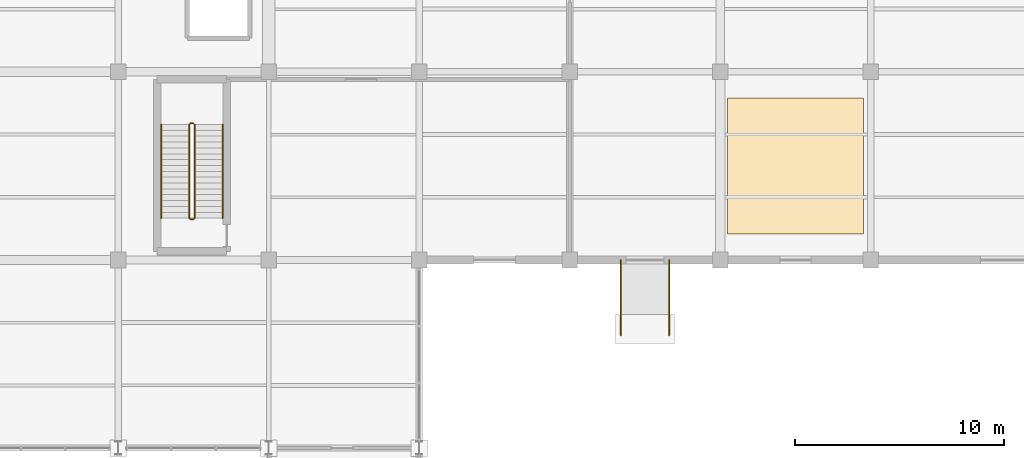
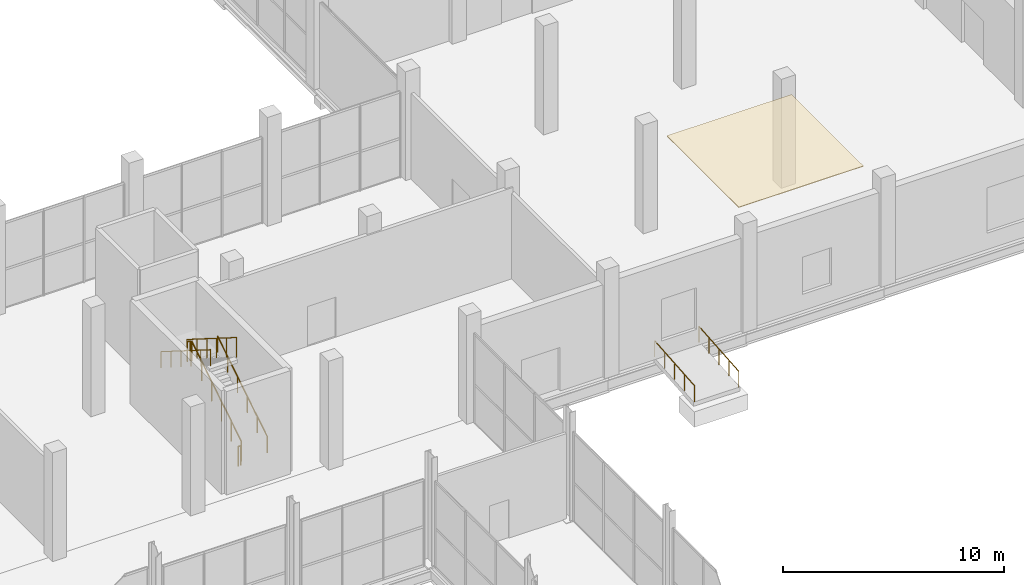
# One storey, part 144 of 144: 8 railings, 1 covering.
"""IFC4 building model written with IfcOpenShell, lengths in metres."""

from ifc_helpers import new_model, si_unit, direction, frame, origin, origin_2d, place, context, subcontext, project, spatial, rectangle, circle, extrude, material, layer, layer_set, type_object, element, save


model = new_model("IFC4")

# Units and contexts
model_context = context("Model", 3, precision=1e-05, world=origin(), true_north=direction((0.0, 1.0)))
body_context = subcontext(model_context, "Body", "Model", "MODEL_VIEW")
ifc_project = project(units=[si_unit("LENGTHUNIT", "METRE"), si_unit("AREAUNIT", "SQUARE_METRE"), si_unit("VOLUMEUNIT", "CUBIC_METRE"), si_unit("PLANEANGLEUNIT", "RADIAN"), si_unit("MASSUNIT", "GRAM", prefix="KILO")], contexts=[model_context])

# Site, building, storey
site_placement = place(None, origin())
site = spatial("IfcSite", under=ifc_project, at=site_placement, CompositionType="ELEMENT")
building_placement = place(site_placement, origin())
building = spatial("IfcBuilding", under=site, at=building_placement, Name="Sundgate Opera House", CompositionType="ELEMENT")
storey_placement = place(building_placement, origin())
storey = spatial("IfcBuildingStorey", under=building, at=storey_placement, Name="L00", CompositionType="ELEMENT", Elevation=0.0)

# Covering
ifc_material_1 = material(Name="Acoustic gypsum plasterboard ceiling", Category="gypsum")
ifc_layer = layer(ifc_material_1, 0.034912109375)
ifc_layer_set = layer_set([ifc_layer], Name="Acoustic gypsum plasterboard ceiling")
covering_type = type_object("IfcCoveringType", Name="CV-CEIL-GYP", PredefinedType="CEILING", material=ifc_layer_set)
covering_placement = place(storey_placement, frame((163.800048828125, 73.5, 5.6650390625), z_axis=(0.0, 0.0, 1.0), x_axis=(1.0, 0.0, 0.0)))
element("IfcCovering", 1, at=covering_placement, inside=storey, type_object=covering_type, Name="L00 Acoustic Ceiling CV0127", PredefinedType="CEILING", context=body_context, shape_type="SweptSolid", body=[
    extrude(rectangle(XDim=6.5, YDim=6.5, at=origin_2d()), origin(), (0.0, 0.0, 1.0), 0.034912109375),
])

# Railings
ifc_material_2 = material(Name="Painted steel S275 guardrail", Category="steel")
railing_type_1 = type_object("IfcRailingType", Name="RL-STAIR-GUARD-1100", PredefinedType="GUARDRAIL", material=ifc_material_2)
railing_1_placement = place(storey_placement, frame((135.050048828125, 71.0, 0.176513671875)))
element("IfcRailing", 2, at=railing_1_placement, inside=storey, type_object=railing_type_1, Name="ST06L00 Guardrail RL0213", PredefinedType="GUARDRAIL", context=body_context, shape_type="SweptSolid", body=[
    extrude(circle(Radius=0.02392578125, at=origin_2d()), frame((0.0, 0.0, 1.076171875), z_axis=(0.0, 0.845997938375, 0.533186166611), x_axis=(-1.0, 0.0, 0.0)), (0.0, 0.0, 1.0), 5.29541015625),
    extrude(circle(Radius=0.02099609375, at=origin_2d()), origin(), (0.0, 0.0, 1.0), 1.052001953125),
    extrude(circle(Radius=0.02099609375, at=origin_2d()), frame((0.0, 0.89599609375, 0.564697265625)), (0.0, 0.0, 1.0), 1.052001953125),
    extrude(circle(Radius=0.02099609375, at=origin_2d()), frame((0.0, 1.7919921875, 1.12939453125)), (0.0, 0.0, 1.0), 1.052001953125),
    extrude(circle(Radius=0.02099609375, at=origin_2d()), frame((0.0, 2.68798828125, 1.694091796875)), (0.0, 0.0, 1.0), 1.052001953125),
    extrude(circle(Radius=0.02099609375, at=origin_2d()), frame((0.0, 3.583984375, 2.2587890625)), (0.0, 0.0, 1.0), 1.052001953125),
    extrude(circle(Radius=0.02099609375, at=origin_2d()), frame((0.0, 4.47998046875, 2.823486328125)), (0.0, 0.0, 1.0), 1.052001953125),
])
railing_2_placement = place(storey_placement, frame((135.0, 75.530029296875, 3.0)))
element("IfcRailing", 3, at=railing_2_placement, inside=storey, type_object=railing_type_1, Name="ST06L00 Guardrail RL0214", PredefinedType="GUARDRAIL", context=body_context, shape_type="SweptSolid", body=[
    extrude(circle(Radius=0.02392578125, at=origin_2d()), frame((0.0, 0.0, 1.076171875), z_axis=(-1.0, 0.0, 0.0), x_axis=(0.0, -1.0, 0.0)), (0.0, 0.0, 1.0), 0.14990234375),
    extrude(circle(Radius=0.02099609375, at=origin_2d()), origin(), (0.0, 0.0, 1.0), 1.052001953125),
    extrude(circle(Radius=0.02099609375, at=origin_2d()), frame((-0.14990234375, 0.0, 0.0)), (0.0, 0.0, 1.0), 1.052001953125),
])
railing_3_placement = place(storey_placement, frame((134.800048828125, 75.47998046875, 3.176513671875)))
element("IfcRailing", 4, at=railing_3_placement, inside=storey, type_object=railing_type_1, Name="ST06L00 Guardrail RL0215", PredefinedType="GUARDRAIL", context=body_context, shape_type="SweptSolid", body=[
    extrude(circle(Radius=0.02392578125, at=origin_2d()), frame((0.0, 0.0, 1.076171875), z_axis=(0.0, -0.845997938375, 0.533186166611), x_axis=(1.0, 0.0, 0.0)), (0.0, 0.0, 1.0), 5.29541015625),
    extrude(circle(Radius=0.02099609375, at=origin_2d()), origin(), (0.0, 0.0, 1.0), 1.052001953125),
    extrude(circle(Radius=0.02099609375, at=origin_2d()), frame((0.0, -0.89599609375, 0.564697265625)), (0.0, 0.0, 1.0), 1.052001953125),
    extrude(circle(Radius=0.02099609375, at=origin_2d()), frame((0.0, -1.7919921875, 1.12939453125)), (0.0, 0.0, 1.0), 1.052001953125),
    extrude(circle(Radius=0.02099609375, at=origin_2d()), frame((0.0, -2.68798828125, 1.694091796875)), (0.0, 0.0, 1.0), 1.052001953125),
    extrude(circle(Radius=0.02099609375, at=origin_2d()), frame((0.0, -3.583984375, 2.2587890625)), (0.0, 0.0, 1.0), 1.052001953125),
    extrude(circle(Radius=0.02099609375, at=origin_2d()), frame((0.0, -4.47998046875, 2.823486328125)), (0.0, 0.0, 1.0), 1.052001953125),
])
railing_4_placement = place(storey_placement, frame((135.0, 70.949951171875, 0.0)))
element("IfcRailing", 5, at=railing_4_placement, inside=storey, type_object=railing_type_1, Name="ST06L00 Guardrail RL0216", PredefinedType="GUARDRAIL", context=body_context, shape_type="SweptSolid", body=[
    extrude(circle(Radius=0.02392578125, at=origin_2d()), frame((0.0, 0.0, 1.076171875), z_axis=(-1.0, 0.0, 0.0), x_axis=(0.0, -1.0, 0.0)), (0.0, 0.0, 1.0), 0.14990234375),
    extrude(circle(Radius=0.02099609375, at=origin_2d()), origin(), (0.0, 0.0, 1.0), 1.052001953125),
    extrude(circle(Radius=0.02099609375, at=origin_2d()), frame((-0.14990234375, 0.0, 0.0)), (0.0, 0.0, 1.0), 1.052001953125),
])
ifc_material_3 = material(Name="Brushed stainless steel handrail", Category="steel")
railing_type_2 = type_object("IfcRailingType", Name="RL-STAIR-HAND-900", PredefinedType="HANDRAIL", material=ifc_material_3)
railing_5_placement = place(storey_placement, frame((136.39990234375, 71.0, 0.176513671875)))
element("IfcRailing", 6, at=railing_5_placement, inside=storey, type_object=railing_type_2, Name="ST06L00 Handrail RL0217", PredefinedType="HANDRAIL", context=body_context, shape_type="SweptSolid", body=[
    extrude(circle(Radius=0.02392578125, at=origin_2d()), frame((0.0, 0.0, 0.8759765625), z_axis=(0.0, 0.845997938375, 0.533186166611), x_axis=(-1.0, 0.0, 0.0)), (0.0, 0.0, 1.0), 5.29541015625),
    extrude(circle(Radius=0.02099609375, at=origin_2d()), origin(), (0.0, 0.0, 1.0), 0.851806640625),
    extrude(circle(Radius=0.02099609375, at=origin_2d()), frame((0.0, 0.89599609375, 0.564697265625)), (0.0, 0.0, 1.0), 0.851806640625),
    extrude(circle(Radius=0.02099609375, at=origin_2d()), frame((0.0, 1.7919921875, 1.12939453125)), (0.0, 0.0, 1.0), 0.851806640625),
    extrude(circle(Radius=0.02099609375, at=origin_2d()), frame((0.0, 2.68798828125, 1.694091796875)), (0.0, 0.0, 1.0), 0.851806640625),
    extrude(circle(Radius=0.02099609375, at=origin_2d()), frame((0.0, 3.583984375, 2.2587890625)), (0.0, 0.0, 1.0), 0.851806640625),
    extrude(circle(Radius=0.02099609375, at=origin_2d()), frame((0.0, 4.47998046875, 2.823486328125)), (0.0, 0.0, 1.0), 0.851806640625),
])
railing_6_placement = place(storey_placement, frame((133.449951171875, 75.47998046875, 3.176513671875)))
element("IfcRailing", 7, at=railing_6_placement, inside=storey, type_object=railing_type_2, Name="ST06L00 Handrail RL0218", PredefinedType="HANDRAIL", context=body_context, shape_type="SweptSolid", body=[
    extrude(circle(Radius=0.02392578125, at=origin_2d()), frame((0.0, 0.0, 0.8759765625), z_axis=(0.0, -0.845997938375, 0.533186166611), x_axis=(1.0, 0.0, 0.0)), (0.0, 0.0, 1.0), 5.29541015625),
    extrude(circle(Radius=0.02099609375, at=origin_2d()), origin(), (0.0, 0.0, 1.0), 0.851806640625),
    extrude(circle(Radius=0.02099609375, at=origin_2d()), frame((0.0, -0.89599609375, 0.564697265625)), (0.0, 0.0, 1.0), 0.851806640625),
    extrude(circle(Radius=0.02099609375, at=origin_2d()), frame((0.0, -1.7919921875, 1.12939453125)), (0.0, 0.0, 1.0), 0.851806640625),
    extrude(circle(Radius=0.02099609375, at=origin_2d()), frame((0.0, -2.68798828125, 1.694091796875)), (0.0, 0.0, 1.0), 0.851806640625),
    extrude(circle(Radius=0.02099609375, at=origin_2d()), frame((0.0, -3.583984375, 2.2587890625)), (0.0, 0.0, 1.0), 0.851806640625),
    extrude(circle(Radius=0.02099609375, at=origin_2d()), frame((0.0, -4.47998046875, 2.823486328125)), (0.0, 0.0, 1.0), 0.851806640625),
])
for number, where, name in (
    (8, (157.75, 65.39990234375, -0.300048828125), "RP03 Handrail RL0325"),
    (9, (155.449951171875, 65.39990234375, -0.300048828125), "RP03 Handrail RL0326"),
):
    element("IfcRailing", number, at=place(storey_placement, frame(where)), inside=storey, type_object=railing_type_2, Name=name, PredefinedType="HANDRAIL", context=body_context, shape_type="SweptSolid", body=[
        extrude(circle(Radius=0.02392578125, at=origin_2d()), frame((0.0, 0.0, 0.8759765625), z_axis=(0.0, 0.996544826035, 0.083056665618), x_axis=(-1.0, 0.0, 0.0)), (0.0, 0.0, 1.0), 3.612548828125),
        extrude(circle(Radius=0.02099609375, at=origin_2d()), origin(), (0.0, 0.0, 1.0), 0.851806640625),
        extrude(circle(Radius=0.02099609375, at=origin_2d()), frame((0.0, 0.89990234375, 0.074951171875)), (0.0, 0.0, 1.0), 0.851806640625),
        extrude(circle(Radius=0.02099609375, at=origin_2d()), frame((0.0, 1.800048828125, 0.14990234375)), (0.0, 0.0, 1.0), 0.851806640625),
        extrude(circle(Radius=0.02099609375, at=origin_2d()), frame((0.0, 2.7001953125, 0.22509765625)), (0.0, 0.0, 1.0), 0.851806640625),
        extrude(circle(Radius=0.02099609375, at=origin_2d()), frame((0.0, 3.60009765625, 0.300048828125)), (0.0, 0.0, 1.0), 0.851806640625),
    ])

save(model, "model.ifc")
